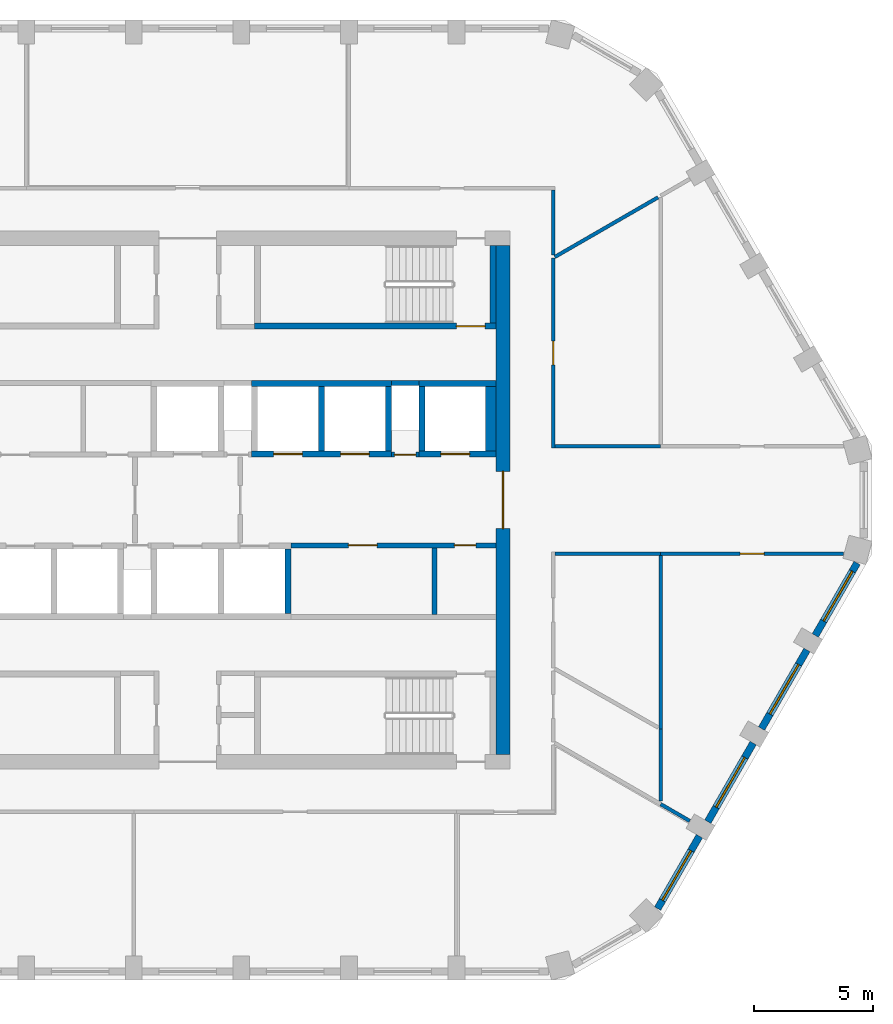
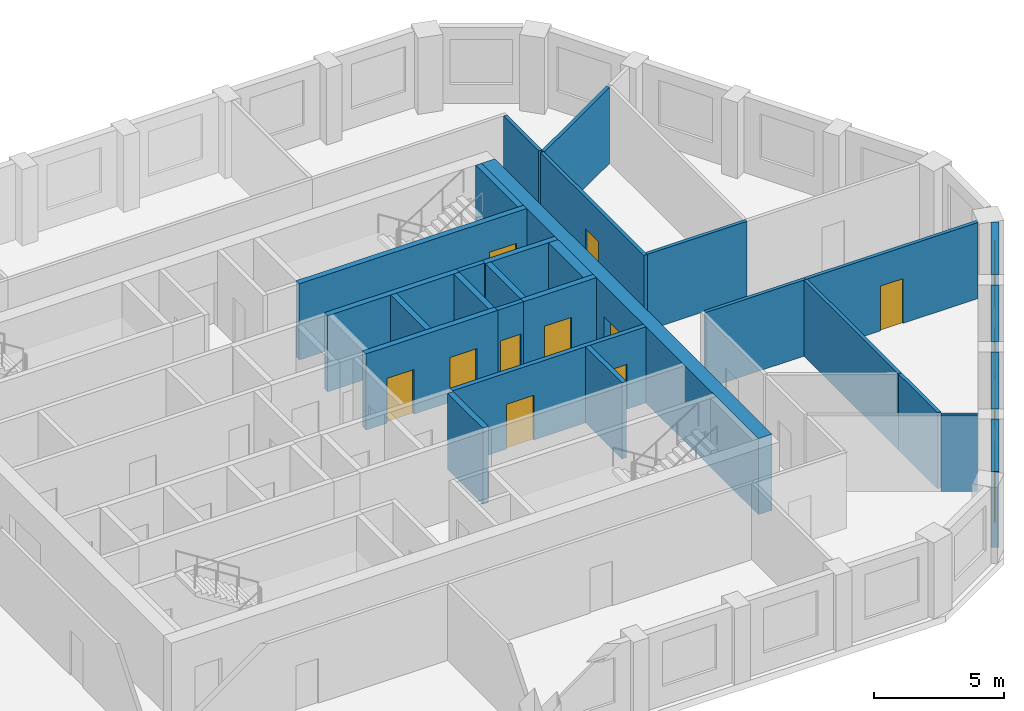
# One storey, part 5 of 10: 29 walls, 10 doors, 4 windows, 14 openings.
"""IFC4 building model written with IfcOpenShell, lengths in metres."""

from ifc_helpers import new_model, si_unit, direction, frame, frame_2d, origin, place, context, subcontext, project, spatial, polyline, rectangle, outline, extrude, material, layer, layer_set, type_object, element, fill, save


model = new_model("IFC4")

# Units and contexts
model_context = context("Model", 3, precision=1e-05, world=origin(), true_north=direction((0.0, 1.0)))
body_context = subcontext(model_context, "Body", "Model", "MODEL_VIEW")
ifc_project = project(units=[si_unit("LENGTHUNIT", "METRE"), si_unit("AREAUNIT", "SQUARE_METRE"), si_unit("VOLUMEUNIT", "CUBIC_METRE"), si_unit("PLANEANGLEUNIT", "RADIAN"), si_unit("MASSUNIT", "GRAM", prefix="KILO")], contexts=[model_context])

# Site, building, storey
site_placement = place(None, origin())
site = spatial("IfcSite", under=ifc_project, at=site_placement, CompositionType="ELEMENT")
building_placement = place(site_placement, origin())
building = spatial("IfcBuilding", under=site, at=building_placement, Name="Dhurran Vertical Campus", CompositionType="ELEMENT")
storey_placement = place(building_placement, frame((0.0, 0.0, 250.800048828125)))
storey = spatial("IfcBuildingStorey", under=building, at=storey_placement, Name="L62", CompositionType="ELEMENT", Elevation=250.800048828125)

# Wall, opening, window
ifc_material_1 = material(Name="Precast concrete C50/60", Category="concrete")
ifc_layer_1 = layer(ifc_material_1, 0.300048828125)
ifc_layer_set_1 = layer_set([ifc_layer_1], Name="Precast concrete C50/60")
wall_type_1 = type_object("IfcWallType", Name="Precast spandrel wall 300", PredefinedType="SOLIDWALL", material=ifc_layer_set_1)
wall_1_placement = place(storey_placement, frame((19.669921875, -17.09912109375, 0.0), z_axis=(0.0, 0.0, 1.0), x_axis=(0.499960102815, 0.866048437209, 0.0)))
wall_1 = element("IfcWall", 1, at=wall_1_placement, inside=storey, type_object=wall_type_1, Name="EW1 L62.08", PredefinedType="SOLIDWALL", context=body_context, shape_type="SweptSolid", body=[
    extrude(rectangle(XDim=3.497802734375, YDim=0.300048828125, at=frame_2d((1.7490234375, 0.0))), origin(), (0.0, 0.0, 1.0), 3.574951171875),
])
opening_1_placement = place(wall_1_placement, frame((0.398193359375, 0.0, 0.89990234375)))
opening_1 = element("IfcOpeningElement", 2, at=opening_1_placement, cuts=wall_1, Name="Opening WT1", PredefinedType="OPENING", context=body_context, shape_type="SweptSolid", body=[
    extrude(rectangle(XDim=2.39990234375, YDim=2.10009765625, at=frame_2d((1.199951171875, 1.050048828125))), frame((0.0, 0.159912109375, 0.0), z_axis=(0.0, -1.0, 0.0), x_axis=(1.0, 0.0, 0.0)), (0.0, 0.0, 1.0), 0.320068359375),
])
ifc_material_2 = material(Name="Aluminium frame with solar-control glass", Category="aluminium")
window_type = type_object("IfcWindowType", Name="Punched window 2400 x 2100", PartitioningType="SINGLE_PANEL", PredefinedType="WINDOW", material=ifc_material_2)
window_1_placement = place(opening_1_placement, origin())
window_1 = element("IfcWindow", 3, at=window_1_placement, inside=storey, type_object=window_type, Name="WT1 L62.08", OverallHeight=2.10009765625, OverallWidth=2.39990234375, PartitioningType="SINGLE_PANEL", PredefinedType="WINDOW", context=body_context, shape_type="SweptSolid", body=[
    extrude(rectangle(XDim=2.39990234375, YDim=2.10009765625, at=frame_2d((1.199951171875, 1.050048828125))), frame((0.0, 0.030029296875, 0.0), z_axis=(0.0, -1.0, 0.0), x_axis=(1.0, 0.0, 0.0)), (0.0, 0.0, 1.0), 0.06005859375),
])
fill(opening_1, window_1)

wall_2_placement = place(storey_placement, frame((21.769287109375, -13.462890625, 0.0), z_axis=(0.0, 0.0, 1.0), x_axis=(0.499982058975, 0.866035761792, 0.0)))
wall_2 = element("IfcWall", 4, at=wall_2_placement, inside=storey, type_object=wall_type_1, Name="EW1 L62.09", PredefinedType="SOLIDWALL", context=body_context, shape_type="SweptSolid", body=[
    extrude(rectangle(XDim=3.799072265625, YDim=0.300048828125, at=frame_2d((1.8994140625, 0.0))), origin(), (0.0, 0.0, 1.0), 3.574951171875),
])
opening_2_placement = place(wall_2_placement, frame((0.699462890625, 0.0, 0.89990234375)))
opening_2 = element("IfcOpeningElement", 5, at=opening_2_placement, cuts=wall_2, Name="Opening WT1", PredefinedType="OPENING", context=body_context, shape_type="SweptSolid", body=[
    extrude(rectangle(XDim=2.39990234375, YDim=2.10009765625, at=frame_2d((1.199951171875, 1.050048828125))), frame((0.0, 0.159912109375, 0.0), z_axis=(0.0, -1.0, 0.0), x_axis=(1.0, 0.0, 0.0)), (0.0, 0.0, 1.0), 0.320068359375),
])
window_2_placement = place(opening_2_placement, origin())
window_2 = element("IfcWindow", 6, at=window_2_placement, inside=storey, type_object=window_type, Name="WT1 L62.09", OverallHeight=2.10009765625, OverallWidth=2.39990234375, PartitioningType="SINGLE_PANEL", PredefinedType="WINDOW", context=body_context, shape_type="SweptSolid", body=[
    extrude(rectangle(XDim=2.39990234375, YDim=2.10009765625, at=frame_2d((1.199951171875, 1.050048828125))), frame((0.0, 0.030029296875, 0.0), z_axis=(0.0, -1.0, 0.0), x_axis=(1.0, 0.0, 0.0)), (0.0, 0.0, 1.0), 0.06005859375),
])
fill(opening_2, window_2)

wall_3_placement = place(storey_placement, frame((24.019287109375, -9.565673828125, 0.0), z_axis=(0.0, 0.0, 1.0), x_axis=(0.499982058975, 0.866035761792, 0.0)))
wall_3 = element("IfcWall", 7, at=wall_3_placement, inside=storey, type_object=wall_type_1, Name="EW1 L62.10", PredefinedType="SOLIDWALL", context=body_context, shape_type="SweptSolid", body=[
    extrude(rectangle(XDim=3.799072265625, YDim=0.300048828125, at=frame_2d((1.8994140625, 0.0))), origin(), (0.0, 0.0, 1.0), 3.574951171875),
])
opening_3_placement = place(wall_3_placement, frame((0.699462890625, 0.0, 0.89990234375)))
opening_3 = element("IfcOpeningElement", 8, at=opening_3_placement, cuts=wall_3, Name="Opening WT1", PredefinedType="OPENING", context=body_context, shape_type="SweptSolid", body=[
    extrude(rectangle(XDim=2.39990234375, YDim=2.10009765625, at=frame_2d((1.199951171875, 1.050048828125))), frame((0.0, 0.159912109375, 0.0), z_axis=(0.0, -1.0, 0.0), x_axis=(1.0, 0.0, 0.0)), (0.0, 0.0, 1.0), 0.320068359375),
])
window_3_placement = place(opening_3_placement, origin())
window_3 = element("IfcWindow", 9, at=window_3_placement, inside=storey, type_object=window_type, Name="WT1 L62.10", OverallHeight=2.10009765625, OverallWidth=2.39990234375, PartitioningType="SINGLE_PANEL", PredefinedType="WINDOW", context=body_context, shape_type="SweptSolid", body=[
    extrude(rectangle(XDim=2.39990234375, YDim=2.10009765625, at=frame_2d((1.199951171875, 1.050048828125))), frame((0.0, 0.030029296875, 0.0), z_axis=(0.0, -1.0, 0.0), x_axis=(1.0, 0.0, 0.0)), (0.0, 0.0, 1.0), 0.06005859375),
])
fill(opening_3, window_3)

wall_4_placement = place(storey_placement, frame((26.269287109375, -5.668701171875, 0.0), z_axis=(0.0, 0.0, 1.0), x_axis=(0.499990325971, 0.866030989016, 0.0)))
wall_4 = element("IfcWall", 10, at=wall_4_placement, inside=storey, type_object=wall_type_1, Name="EW1 L62.11", PredefinedType="SOLIDWALL", context=body_context, shape_type="SweptSolid", body=[
    extrude(rectangle(XDim=3.49755859375, YDim=0.300048828125, at=frame_2d((1.748779296875, 0.0))), origin(), (0.0, 0.0, 1.0), 3.574951171875),
])
opening_4_placement = place(wall_4_placement, frame((0.699462890625, 0.0, 0.89990234375)))
opening_4 = element("IfcOpeningElement", 11, at=opening_4_placement, cuts=wall_4, Name="Opening WT1", PredefinedType="OPENING", context=body_context, shape_type="SweptSolid", body=[
    extrude(rectangle(XDim=2.39990234375, YDim=2.10009765625, at=frame_2d((1.199951171875, 1.050048828125))), frame((0.0, 0.159912109375, 0.0), z_axis=(0.0, -1.0, 0.0), x_axis=(1.0, 0.0, 0.0)), (0.0, 0.0, 1.0), 0.320068359375),
])
window_4_placement = place(opening_4_placement, origin())
window_4 = element("IfcWindow", 12, at=window_4_placement, inside=storey, type_object=window_type, Name="WT1 L62.11", OverallHeight=2.10009765625, OverallWidth=2.39990234375, PartitioningType="SINGLE_PANEL", PredefinedType="WINDOW", context=body_context, shape_type="SweptSolid", body=[
    extrude(rectangle(XDim=2.39990234375, YDim=2.10009765625, at=frame_2d((1.199951171875, 1.050048828125))), frame((0.0, 0.030029296875, 0.0), z_axis=(0.0, -1.0, 0.0), x_axis=(1.0, 0.0, 0.0)), (0.0, 0.0, 1.0), 0.06005859375),
])
fill(opening_4, window_4)

# Wall, opening, door
ifc_material_3 = material(Name="Concrete C50/60", Category="concrete")
ifc_layer_2 = layer(ifc_material_3, 0.60009765625)
ifc_layer_set_2 = layer_set([ifc_layer_2], Name="Concrete C50/60")
wall_type_2 = type_object("IfcWallType", Name="co-CORE-WALL-C2-600", PredefinedType="SHEAR", material=ifc_layer_set_2)
wall_5_placement = place(storey_placement, frame((13.199951171875, -10.64990234375, 0.0), z_axis=(0.0, 0.0, 1.0), x_axis=(0.0, 1.0, 0.0)))
wall_5 = element("IfcWall", 13, at=wall_5_placement, inside=storey, type_object=wall_type_2, Name="Core wall E L62", PredefinedType="SHEAR", context=body_context, shape_type="SweptSolid", body=[
    extrude(rectangle(XDim=21.2998046875, YDim=0.60009765625, at=frame_2d((10.64990234375, 0.0))), origin(), (0.0, 0.0, 1.0), 3.574951171875),
])
opening_5_placement = place(wall_5_placement, frame((9.449951171875, 0.0, 0.0)))
opening_5 = element("IfcOpeningElement", 14, at=opening_5_placement, cuts=wall_5, Name="Opening CL2", PredefinedType="OPENING", context=body_context, shape_type="SweptSolid", body=[
    extrude(rectangle(XDim=2.39990234375, YDim=2.10009765625, at=frame_2d((1.199951171875, 1.050048828125))), frame((0.0, 0.31005859375, 0.0), z_axis=(0.0, -1.0, 0.0), x_axis=(1.0, 0.0, 0.0)), (0.0, 0.0, 1.0), 0.6201171875),
])
ifc_material_4 = material(Name="Fire-rated glazed door set")
door_type_1 = type_object("IfcDoorType", Name="co-D-LOBBY 2400x2100", OperationType="DOUBLE_DOOR_DOUBLE_SWING", PredefinedType="DOOR", material=ifc_material_4)
door_1_placement = place(opening_5_placement, origin())
door_1 = element("IfcDoor", 15, at=door_1_placement, inside=storey, type_object=door_type_1, Name="Lift lobby door E L62", OperationType="DOUBLE_DOOR_DOUBLE_SWING", OverallHeight=2.10009765625, OverallWidth=2.39990234375, PredefinedType="DOOR", context=body_context, shape_type="SweptSolid", body=[
    extrude(rectangle(XDim=2.39990234375, YDim=2.10009765625, at=frame_2d((1.199951171875, 1.050048828125))), frame((0.0, 0.02490234375, 0.0), z_axis=(0.0, -1.0, 0.0), x_axis=(1.0, 0.0, 0.0)), (0.0, 0.0, 1.0), 0.050048828125),
])
fill(opening_5, door_1)

ifc_material_5 = material(Name="Fire-rated masonry blockwork", Category="masonry")
ifc_layer_3 = layer(ifc_material_5, 0.199951171875)
ifc_layer_set_3 = layer_set([ifc_layer_3], Name="Fire-rated masonry blockwork")
wall_type_3 = type_object("IfcWallType", Name="co-FIRE-PARTITION-200", PredefinedType="PARTITIONING", material=ifc_layer_set_3)
wall_6_placement = place(storey_placement, frame((8.52490234375, 1.89990234375, 0.0), z_axis=(0.0, 0.0, 1.0), x_axis=(1.0, 0.0, 0.0)))
wall_6 = element("IfcWall", 16, at=wall_6_placement, inside=storey, type_object=wall_type_3, Name="Core partition fr-N2-f L62", PredefinedType="PARTITIONING", context=body_context, shape_type="SweptSolid", body=[
    extrude(rectangle(XDim=1.150146484375, YDim=0.199951171875, at=frame_2d((0.5751953125, 0.0))), origin(), (0.0, 0.0, 1.0), 3.574951171875),
])
opening_6_placement = place(wall_6_placement, frame((0.125, 0.0, 0.0)))
opening_6 = element("IfcOpeningElement", 17, at=opening_6_placement, cuts=wall_6, Name="Opening T18-C10", PredefinedType="OPENING", context=body_context, shape_type="SweptSolid", body=[
    extrude(rectangle(XDim=0.89990234375, YDim=2.10009765625, at=frame_2d((0.449951171875, 1.050048828125))), frame((0.0, 0.10986328125, 0.0), z_axis=(0.0, -1.0, 0.0), x_axis=(1.0, 0.0, 0.0)), (0.0, 0.0, 1.0), 0.219970703125),
])
ifc_material_6 = material(Name="Fire-rated timber door set", Category="wood")
door_type_2 = type_object("IfcDoorType", Name="co-D-ROOM 900x2100", OperationType="SINGLE_SWING_LEFT", PredefinedType="DOOR", material=ifc_material_6)
door_2_placement = place(opening_6_placement, origin())
door_2 = element("IfcDoor", 18, at=door_2_placement, inside=storey, type_object=door_type_2, Name="Electrical riser door L62", OperationType="SINGLE_SWING_LEFT", OverallHeight=2.10009765625, OverallWidth=0.89990234375, PredefinedType="DOOR", context=body_context, shape_type="SweptSolid", body=[
    extrude(rectangle(XDim=0.89990234375, YDim=2.10009765625, at=frame_2d((0.449951171875, 1.050048828125))), frame((0.0, 0.02490234375, 0.0), z_axis=(0.0, -1.0, 0.0), x_axis=(1.0, 0.0, 0.0)), (0.0, 0.0, 1.0), 0.050048828125),
])
fill(opening_6, door_2)

# Walls
wall_7_placement = place(storey_placement, frame((8.52490234375, 4.89990234375, 0.0), z_axis=(0.0, 0.0, 1.0), x_axis=(1.0, 0.0, 0.0)))
element("IfcWall", 19, at=wall_7_placement, inside=storey, type_object=wall_type_3, Name="Core partition fr-N2-b L62", PredefinedType="PARTITIONING", context=body_context, shape_type="SweptSolid", body=[
    extrude(rectangle(XDim=1.150146484375, YDim=0.199951171875, at=frame_2d((0.5751953125, 0.0))), origin(), (0.0, 0.0, 1.0), 3.574951171875),
])
wall_8_placement = place(storey_placement, frame((10.327392578125, -4.800048828125, 0.0), z_axis=(0.0, 0.0, 1.0), x_axis=(0.0, 1.0, 0.0)))
element("IfcWall", 20, at=wall_8_placement, inside=storey, type_object=wall_type_3, Name="Core partition fr-S2-cut0 L62", PredefinedType="PARTITIONING", context=body_context, shape_type="SweptSolid", body=[
    extrude(rectangle(XDim=2.800048828125, YDim=0.199951171875, at=frame_2d((1.39990234375, 0.0))), origin(), (0.0, 0.0, 1.0), 3.574951171875),
])

# Wall, openings, doors
wall_9_placement = place(storey_placement, frame((4.324951171875, -1.89990234375, 0.0), z_axis=(0.0, 0.0, 1.0), x_axis=(1.0, 0.0, 0.0)))
wall_9 = element("IfcWall", 21, at=wall_9_placement, inside=storey, type_object=wall_type_3, Name="Core partition fr-S2-f L62", PredefinedType="PARTITIONING", context=body_context, shape_type="SweptSolid", body=[
    extrude(rectangle(XDim=8.574951171875, YDim=0.199951171875, at=frame_2d((4.28759765625, 0.0))), origin(), (0.0, 0.0, 1.0), 3.574951171875),
])
opening_7_placement = place(wall_9_placement, frame((2.4013671875, 0.0, 0.0)))
opening_7 = element("IfcOpeningElement", 22, at=opening_7_placement, cuts=wall_9, Name="Opening T18-C13", PredefinedType="OPENING", context=body_context, shape_type="SweptSolid", body=[
    extrude(rectangle(XDim=1.199951171875, YDim=2.10009765625, at=frame_2d((0.60009765625, 1.050048828125))), frame((0.0, 0.10986328125, 0.0), z_axis=(0.0, -1.0, 0.0), x_axis=(1.0, 0.0, 0.0)), (0.0, 0.0, 1.0), 0.219970703125),
])
opening_8_placement = place(wall_9_placement, frame((6.8388671875, 0.0, 0.0)))
opening_8 = element("IfcOpeningElement", 23, at=opening_8_placement, cuts=wall_9, Name="Opening T18-C14", PredefinedType="OPENING", context=body_context, shape_type="SweptSolid", body=[
    extrude(rectangle(XDim=0.89990234375, YDim=2.10009765625, at=frame_2d((0.449951171875, 1.050048828125))), frame((0.0, 0.10986328125, 0.0), z_axis=(0.0, -1.0, 0.0), x_axis=(1.0, 0.0, 0.0)), (0.0, 0.0, 1.0), 0.219970703125),
])
door_3_placement = place(opening_8_placement, origin())
door_3 = element("IfcDoor", 24, at=door_3_placement, inside=storey, type_object=door_type_2, Name="Pantry door L62", OperationType="SINGLE_SWING_LEFT", OverallHeight=2.10009765625, OverallWidth=0.89990234375, PredefinedType="DOOR", context=body_context, shape_type="SweptSolid", body=[
    extrude(rectangle(XDim=0.89990234375, YDim=2.10009765625, at=frame_2d((0.449951171875, 1.050048828125))), frame((0.0, 0.02490234375, 0.0), z_axis=(0.0, -1.0, 0.0), x_axis=(1.0, 0.0, 0.0)), (0.0, 0.0, 1.0), 0.050048828125),
])
fill(opening_8, door_3)
ifc_material_7 = material(Name="Fire-rated steel door set", Category="steel")
door_type_3 = type_object("IfcDoorType", Name="co-D-ROOM-PASSAGE 1200x2100", OperationType="SINGLE_SWING_RIGHT", PredefinedType="DOOR", material=ifc_material_7)
door_4_placement = place(opening_7_placement, origin())
door_4 = element("IfcDoor", 25, at=door_4_placement, inside=storey, type_object=door_type_3, Name="Communications room door L62", OperationType="SINGLE_SWING_RIGHT", OverallHeight=2.10009765625, OverallWidth=1.199951171875, PredefinedType="DOOR", context=body_context, shape_type="SweptSolid", body=[
    extrude(rectangle(XDim=1.199951171875, YDim=2.10009765625, at=frame_2d((0.60009765625, 1.050048828125))), frame((0.0, 0.02490234375, 0.0), z_axis=(0.0, -1.0, 0.0), x_axis=(1.0, 0.0, 0.0)), (0.0, 0.0, 1.0), 0.050048828125),
])
fill(opening_7, door_4)

ifc_material_8 = material(Name="Concrete C50/60", Category="concrete")
ifc_layer_4 = layer(ifc_material_8, 0.25)
ifc_layer_set_4 = layer_set([ifc_layer_4], Name="Concrete C50/60")
wall_type_4 = type_object("IfcWallType", Name="co-SHAFT-FRONT-250", PredefinedType="SHEAR", material=ifc_layer_set_4)
wall_10_placement = place(storey_placement, frame((2.675048828125, 1.925048828125, 0.0), z_axis=(0.0, 0.0, 1.0), x_axis=(1.0, 0.0, 0.0)))
wall_10 = element("IfcWall", 26, at=wall_10_placement, inside=storey, type_object=wall_type_4, Name="Lift landing wall N L62", PredefinedType="SHEAR", context=body_context, shape_type="SweptSolid", body=[
    extrude(rectangle(XDim=5.849853515625, YDim=0.25, at=frame_2d((2.9248046875, 0.0))), origin(), (0.0, 0.0, 1.0), 3.574951171875),
])
opening_9_placement = place(wall_10_placement, frame((0.925048828125, 0.0, 0.0)))
opening_9 = element("IfcOpeningElement", 27, at=opening_9_placement, cuts=wall_10, Name="Opening LD", PredefinedType="OPENING", context=body_context, shape_type="SweptSolid", body=[
    extrude(rectangle(XDim=1.199951171875, YDim=2.10009765625, at=frame_2d((0.60009765625, 1.050048828125))), frame((0.0, 0.135009765625, 0.0), z_axis=(0.0, -1.0, 0.0), x_axis=(1.0, 0.0, 0.0)), (0.0, 0.0, 1.0), 0.27001953125),
])
opening_10_placement = place(wall_10_placement, frame((3.72509765625, 0.0, 0.0)))
opening_10 = element("IfcOpeningElement", 28, at=opening_10_placement, cuts=wall_10, Name="Opening LD", PredefinedType="OPENING", context=body_context, shape_type="SweptSolid", body=[
    extrude(rectangle(XDim=1.199951171875, YDim=2.10009765625, at=frame_2d((0.60009765625, 1.050048828125))), frame((0.0, 0.135009765625, 0.0), z_axis=(0.0, -1.0, 0.0), x_axis=(1.0, 0.0, 0.0)), (0.0, 0.0, 1.0), 0.27001953125),
])
ifc_material_9 = material(Name="Stainless steel landing door", Category="steel")
door_type_4 = type_object("IfcDoorType", Name="co-D-LANDING 1200x2100", OperationType="DOUBLE_DOOR_SLIDING", PredefinedType="DOOR", material=ifc_material_9)
door_5_placement = place(opening_9_placement, origin())
door_5 = element("IfcDoor", 29, at=door_5_placement, inside=storey, type_object=door_type_4, Name="Landing door HR1 L62", OperationType="DOUBLE_DOOR_SLIDING", OverallHeight=2.10009765625, OverallWidth=1.199951171875, PredefinedType="DOOR", context=body_context, shape_type="SweptSolid", body=[
    extrude(rectangle(XDim=1.199951171875, YDim=2.10009765625, at=frame_2d((0.60009765625, 1.050048828125))), frame((0.0, 0.02490234375, 0.0), z_axis=(0.0, -1.0, 0.0), x_axis=(1.0, 0.0, 0.0)), (0.0, 0.0, 1.0), 0.050048828125),
])
fill(opening_9, door_5)
door_6_placement = place(opening_10_placement, origin())
door_6 = element("IfcDoor", 30, at=door_6_placement, inside=storey, type_object=door_type_4, Name="Landing door HR2 L62", OperationType="DOUBLE_DOOR_SLIDING", OverallHeight=2.10009765625, OverallWidth=1.199951171875, PredefinedType="DOOR", context=body_context, shape_type="SweptSolid", body=[
    extrude(rectangle(XDim=1.199951171875, YDim=2.10009765625, at=frame_2d((0.60009765625, 1.050048828125))), frame((0.0, 0.02490234375, 0.0), z_axis=(0.0, -1.0, 0.0), x_axis=(1.0, 0.0, 0.0)), (0.0, 0.0, 1.0), 0.050048828125),
])
fill(opening_10, door_6)

# Wall, opening, door
wall_11_placement = place(storey_placement, frame((9.675048828125, 1.925048828125, 0.0), z_axis=(0.0, 0.0, 1.0), x_axis=(1.0, 0.0, 0.0)))
wall_11 = element("IfcWall", 31, at=wall_11_placement, inside=storey, type_object=wall_type_4, Name="Lift landing wall N L62", PredefinedType="SHEAR", context=body_context, shape_type="SweptSolid", body=[
    extrude(rectangle(XDim=3.224853515625, YDim=0.25, at=frame_2d((1.6123046875, 0.0))), origin(), (0.0, 0.0, 1.0), 3.574951171875),
])
opening_11_placement = place(wall_11_placement, frame((0.925048828125, 0.0, 0.0)))
opening_11 = element("IfcOpeningElement", 32, at=opening_11_placement, cuts=wall_11, Name="Opening LD", PredefinedType="OPENING", context=body_context, shape_type="SweptSolid", body=[
    extrude(rectangle(XDim=1.199951171875, YDim=2.10009765625, at=frame_2d((0.60009765625, 1.050048828125))), frame((0.0, 0.135009765625, 0.0), z_axis=(0.0, -1.0, 0.0), x_axis=(1.0, 0.0, 0.0)), (0.0, 0.0, 1.0), 0.27001953125),
])
door_7_placement = place(opening_11_placement, origin())
door_7 = element("IfcDoor", 33, at=door_7_placement, inside=storey, type_object=door_type_4, Name="Landing door SV2 L62", OperationType="DOUBLE_DOOR_SLIDING", OverallHeight=2.10009765625, OverallWidth=1.199951171875, PredefinedType="DOOR", context=body_context, shape_type="SweptSolid", body=[
    extrude(rectangle(XDim=1.199951171875, YDim=2.10009765625, at=frame_2d((0.60009765625, 1.050048828125))), frame((0.0, 0.02490234375, 0.0), z_axis=(0.0, -1.0, 0.0), x_axis=(1.0, 0.0, 0.0)), (0.0, 0.0, 1.0), 0.050048828125),
])
fill(opening_11, door_7)

# Walls
ifc_material_10 = material(Name="Concrete C50/60", Category="concrete")
ifc_layer_5 = layer(ifc_material_10, 0.25)
ifc_layer_set_5 = layer_set([ifc_layer_5], Name="Concrete C50/60")
wall_type_5 = type_object("IfcWallType", Name="co-SHAFT-MASS-250", PredefinedType="SHEAR", material=ifc_layer_set_5)
wall_12_placement = place(storey_placement, origin())
element("IfcWall", 34, at=wall_12_placement, inside=storey, type_object=wall_type_5, Name="Lift shaft wall N L62 2", PredefinedType="SHEAR", context=body_context, shape_type="SweptSolid", body=[
    extrude(outline(polyline([(2.675048828125, 4.75), (8.52490234375, 4.75), (8.52490234375, 5.0), (2.675048828125, 5.0), (2.675048828125, 4.75)])), origin(), (0.0, 0.0, 1.0), 3.574951171875),
])
wall_13_placement = place(storey_placement, origin())
element("IfcWall", 35, at=wall_13_placement, inside=storey, type_object=wall_type_5, Name="Lift shaft wall N L62 3", PredefinedType="SHEAR", context=body_context, shape_type="SweptSolid", body=[
    extrude(outline(polyline([(9.675048828125, 4.75), (12.89990234375, 4.75), (12.89990234375, 5.0), (9.675048828125, 5.0), (9.675048828125, 4.75)])), origin(), (0.0, 0.0, 1.0), 3.574951171875),
])
wall_14_placement = place(storey_placement, origin())
element("IfcWall", 36, at=wall_14_placement, inside=storey, type_object=wall_type_5, Name="Lift shaft wall N L62 7", PredefinedType="SHEAR", context=body_context, shape_type="SweptSolid", body=[
    extrude(outline(polyline([(5.47509765625, 2.050048828125), (5.72509765625, 2.050048828125), (5.72509765625, 4.75), (5.47509765625, 4.75), (5.47509765625, 2.050048828125)])), origin(), (0.0, 0.0, 1.0), 3.574951171875),
])
wall_15_placement = place(storey_placement, origin())
element("IfcWall", 37, at=wall_15_placement, inside=storey, type_object=wall_type_5, Name="Lift shaft wall N L62 8", PredefinedType="SHEAR", context=body_context, shape_type="SweptSolid", body=[
    extrude(outline(polyline([(8.27490234375, 2.050048828125), (8.52490234375, 2.050048828125), (8.52490234375, 4.75), (8.27490234375, 4.75), (8.27490234375, 2.050048828125)])), origin(), (0.0, 0.0, 1.0), 3.574951171875),
])
wall_16_placement = place(storey_placement, origin())
element("IfcWall", 38, at=wall_16_placement, inside=storey, type_object=wall_type_5, Name="Lift shaft wall N L62 9", PredefinedType="SHEAR", context=body_context, shape_type="SweptSolid", body=[
    extrude(outline(polyline([(9.675048828125, 2.050048828125), (9.925048828125, 2.050048828125), (9.925048828125, 4.75), (9.675048828125, 4.75), (9.675048828125, 2.050048828125)])), origin(), (0.0, 0.0, 1.0), 3.574951171875),
])
wall_17_placement = place(storey_placement, origin())
element("IfcWall", 39, at=wall_17_placement, inside=storey, type_object=wall_type_5, Name="Lift shaft wall N L62 10", PredefinedType="SHEAR", context=body_context, shape_type="SweptSolid", body=[
    extrude(outline(polyline([(12.47509765625, 2.050048828125), (12.89990234375, 2.050048828125), (12.89990234375, 4.75), (12.47509765625, 4.75), (12.47509765625, 2.050048828125)])), origin(), (0.0, 0.0, 1.0), 3.574951171875),
])
wall_18_placement = place(storey_placement, origin())
element("IfcWall", 40, at=wall_18_placement, inside=storey, type_object=wall_type_5, Name="Lift shaft wall S L62 9", PredefinedType="SHEAR", context=body_context, shape_type="SweptSolid", body=[
    extrude(outline(polyline([(4.074951171875, -4.75), (4.324951171875, -4.75), (4.324951171875, -2.050048828125), (4.074951171875, -2.050048828125), (4.074951171875, -4.75)])), origin(), (0.0, 0.0, 1.0), 3.574951171875),
])

# Wall, opening, door
ifc_material_11 = material(Name="Concrete C40/50", Category="concrete")
ifc_layer_6 = layer(ifc_material_11, 0.25)
ifc_layer_set_6 = layer_set([ifc_layer_6], Name="Concrete C40/50")
wall_type_6 = type_object("IfcWallType", Name="co-STAIR-WALL-250", PredefinedType="SHEAR", material=ifc_layer_set_6)
wall_19_placement = place(storey_placement, frame((2.800048828125, 7.27490234375, 0.0), z_axis=(0.0, 0.0, 1.0), x_axis=(1.0, 0.0, 0.0)))
wall_19 = element("IfcWall", 41, at=wall_19_placement, inside=storey, type_object=wall_type_6, Name="Stair ST2 enclosure wall L62", PredefinedType="SHEAR", context=body_context, shape_type="SweptSolid", body=[
    extrude(rectangle(XDim=10.099853515625, YDim=0.25, at=frame_2d((5.0498046875, 0.0))), origin(), (0.0, 0.0, 1.0), 3.574951171875),
])
opening_12_placement = place(wall_19_placement, frame((8.449951171875, 0.0, 0.0)))
opening_12 = element("IfcOpeningElement", 42, at=opening_12_placement, cuts=wall_19, Name="Opening SD2", PredefinedType="OPENING", context=body_context, shape_type="SweptSolid", body=[
    extrude(rectangle(XDim=1.199951171875, YDim=2.10009765625, at=frame_2d((0.60009765625, 1.050048828125))), frame((0.0, 0.135009765625, 0.0), z_axis=(0.0, -1.0, 0.0), x_axis=(1.0, 0.0, 0.0)), (0.0, 0.0, 1.0), 0.27001953125),
])
ifc_material_12 = material(Name="Fire-rated steel door set", Category="steel")
door_type_5 = type_object("IfcDoorType", Name="co-D-STAIR 1200x2100", OperationType="SINGLE_SWING_LEFT", PredefinedType="DOOR", material=ifc_material_12)
door_8_placement = place(opening_12_placement, origin())
door_8 = element("IfcDoor", 43, at=door_8_placement, inside=storey, type_object=door_type_5, Name="Stair ST2 door L62", OperationType="SINGLE_SWING_LEFT", OverallHeight=2.10009765625, OverallWidth=1.199951171875, PredefinedType="DOOR", context=body_context, shape_type="SweptSolid", body=[
    extrude(rectangle(XDim=1.199951171875, YDim=2.10009765625, at=frame_2d((0.60009765625, 1.050048828125))), frame((0.0, 0.02490234375, 0.0), z_axis=(0.0, -1.0, 0.0), x_axis=(1.0, 0.0, 0.0)), (0.0, 0.0, 1.0), 0.050048828125),
])
fill(opening_12, door_8)

# Walls
wall_20_placement = place(storey_placement, frame((12.77490234375, 7.39990234375, 0.0), z_axis=(0.0, 0.0, 1.0), x_axis=(0.0, 1.0, 0.0)))
element("IfcWall", 44, at=wall_20_placement, inside=storey, type_object=wall_type_6, Name="Stair ST2 enclosure wall L62", PredefinedType="SHEAR", context=body_context, shape_type="SweptSolid", body=[
    extrude(rectangle(XDim=3.25, YDim=0.25, at=frame_2d((1.625, 0.0))), origin(), (0.0, 0.0, 1.0), 3.574951171875),
])
ifc_material_13 = material(Name="Gypsum board corridor wall on steel studs", Category="steel")
ifc_layer_7 = layer(ifc_material_13, 0.14990234375)
ifc_layer_set_7 = layer_set([ifc_layer_7], Name="Gypsum board corridor wall on steel studs")
wall_type_7 = type_object("IfcWallType", Name="fl-CW-150 corridor wall", PredefinedType="PARTITIONING", material=ifc_layer_set_7)
wall_21_placement = place(storey_placement, frame((19.800048828125, -2.25, 0.0), z_axis=(0.0, 0.0, 1.0), x_axis=(-1.0, 0.0, 0.0)))
element("IfcWall", 45, at=wall_21_placement, inside=storey, type_object=wall_type_7, Name="Partition 62-25", PredefinedType="PARTITIONING", context=body_context, shape_type="SweptSolid", body=[
    extrude(rectangle(XDim=4.425048828125, YDim=0.14990234375, at=frame_2d((2.21240234375, 0.0))), origin(), (0.0, 0.0, 1.0), 3.574951171875),
])

# Wall, opening, door
wall_22_placement = place(storey_placement, frame((15.300048828125, 2.175048828125, 0.0), z_axis=(0.0, 0.0, 1.0), x_axis=(0.0, 1.0, 0.0)))
wall_22 = element("IfcWall", 46, at=wall_22_placement, inside=storey, type_object=wall_type_7, Name="Partition 62-26", PredefinedType="PARTITIONING", context=body_context, shape_type="SweptSolid", body=[
    extrude(rectangle(XDim=7.95703125, YDim=0.14990234375, at=frame_2d((3.978515625, 0.0))), origin(), (0.0, 0.0, 1.0), 3.574951171875),
])
opening_13_placement = place(wall_22_placement, frame((3.478515625, 0.0, 0.0)))
opening_13 = element("IfcOpeningElement", 47, at=opening_13_placement, cuts=wall_22, Name="Opening T18.11", PredefinedType="OPENING", context=body_context, shape_type="SweptSolid", body=[
    extrude(rectangle(XDim=1.0, YDim=2.10009765625, at=frame_2d((0.5, 1.050048828125))), frame((0.0, 0.0849609375, 0.0), z_axis=(0.0, -1.0, 0.0), x_axis=(1.0, 0.0, 0.0)), (0.0, 0.0, 1.0), 0.169921875),
])
ifc_material_14 = material(Name="Solid-core timber door set, fire-rated", Category="wood")
door_type_6 = type_object("IfcDoorType", Name="fl-D-1000x2100", OperationType="SINGLE_SWING_LEFT", PredefinedType="DOOR", material=ifc_material_14)
door_9_placement = place(opening_13_placement, origin())
door_9 = element("IfcDoor", 48, at=door_9_placement, inside=storey, type_object=door_type_6, Name="Door 62.11", OperationType="SINGLE_SWING_LEFT", OverallHeight=2.10009765625, OverallWidth=1.0, PredefinedType="DOOR", context=body_context, shape_type="SweptSolid", body=[
    extrude(rectangle(XDim=1.0, YDim=2.10009765625, at=frame_2d((0.5, 1.050048828125))), frame((0.0, 0.02490234375, 0.0), z_axis=(0.0, -1.0, 0.0), x_axis=(1.0, 0.0, 0.0)), (0.0, 0.0, 1.0), 0.050048828125),
])
fill(opening_13, door_9)

# Walls
wall_23_placement = place(storey_placement, frame((15.375, 2.25, 0.0), z_axis=(0.0, 0.0, 1.0), x_axis=(1.0, 0.0, 0.0)))
element("IfcWall", 49, at=wall_23_placement, inside=storey, type_object=wall_type_7, Name="Partition 62-27", PredefinedType="PARTITIONING", context=body_context, shape_type="SweptSolid", body=[
    extrude(rectangle(XDim=4.425048828125, YDim=0.14990234375, at=frame_2d((2.21240234375, 0.0))), origin(), (0.0, 0.0, 1.0), 3.574951171875),
])
wall_24_placement = place(storey_placement, frame((15.300048828125, 10.261962890625, 0.0), z_axis=(0.0, 0.0, 1.0), x_axis=(0.0, 1.0, 0.0)))
element("IfcWall", 50, at=wall_24_placement, inside=storey, type_object=wall_type_7, Name="Partition 62-28", PredefinedType="PARTITIONING", context=body_context, shape_type="SweptSolid", body=[
    extrude(rectangle(XDim=2.713134765625, YDim=0.14990234375, at=frame_2d((1.3564453125, 0.0))), origin(), (0.0, 0.0, 1.0), 3.574951171875),
])

# Wall, opening, door
wall_25_placement = place(storey_placement, frame((27.452392578125, -2.25, 0.0), z_axis=(0.0, 0.0, 1.0), x_axis=(-1.0, 0.0, 0.0)))
wall_25 = element("IfcWall", 51, at=wall_25_placement, inside=storey, type_object=wall_type_7, Name="Partition 62-33", PredefinedType="PARTITIONING", context=body_context, shape_type="SweptSolid", body=[
    extrude(rectangle(XDim=7.65234375, YDim=0.14990234375, at=frame_2d((3.826171875, 0.0))), origin(), (0.0, 0.0, 1.0), 3.574951171875),
])
opening_14_placement = place(wall_25_placement, frame((3.326171875, 0.0, 0.0)))
opening_14 = element("IfcOpeningElement", 52, at=opening_14_placement, cuts=wall_25, Name="Opening T18.13", PredefinedType="OPENING", context=body_context, shape_type="SweptSolid", body=[
    extrude(rectangle(XDim=1.0, YDim=2.10009765625, at=frame_2d((0.5, 1.050048828125))), frame((0.0, 0.0849609375, 0.0), z_axis=(0.0, -1.0, 0.0), x_axis=(1.0, 0.0, 0.0)), (0.0, 0.0, 1.0), 0.169921875),
])
door_10_placement = place(opening_14_placement, origin())
door_10 = element("IfcDoor", 53, at=door_10_placement, inside=storey, type_object=door_type_6, Name="Door 62.13", OperationType="SINGLE_SWING_LEFT", OverallHeight=2.10009765625, OverallWidth=1.0, PredefinedType="DOOR", context=body_context, shape_type="SweptSolid", body=[
    extrude(rectangle(XDim=1.0, YDim=2.10009765625, at=frame_2d((0.5, 1.050048828125))), frame((0.0, 0.02490234375, 0.0), z_axis=(0.0, -1.0, 0.0), x_axis=(1.0, 0.0, 0.0)), (0.0, 0.0, 1.0), 0.050048828125),
])
fill(opening_14, door_10)

# Walls
ifc_material_15 = material(Name="Gypsum board partition on steel studs", Category="steel")
ifc_layer_8 = layer(ifc_material_15, 0.14990234375)
ifc_layer_set_8 = layer_set([ifc_layer_8], Name="Gypsum board partition on steel studs")
wall_type_8 = type_object("IfcWallType", Name="fl-PW-150 fixed partition", PredefinedType="PARTITIONING", material=ifc_layer_set_8)
wall_26_placement = place(storey_placement, frame((19.6875, 12.6650390625, 0.0), z_axis=(0.0, 0.0, 1.0), x_axis=(-0.866025118187, -0.500000494669, 0.0)))
element("IfcWall", 54, at=wall_26_placement, inside=storey, type_object=wall_type_8, Name="Partition 62-29", PredefinedType="PARTITIONING", context=body_context, shape_type="SweptSolid", body=[
    extrude(rectangle(XDim=4.9912109375, YDim=0.14990234375, at=frame_2d((2.49560546875, 0.0))), origin(), (0.0, 0.0, 1.0), 3.574951171875),
])
wall_27_placement = place(storey_placement, frame((19.800048828125, -9.5830078125, 0.0), z_axis=(0.0, 0.0, 1.0), x_axis=(0.0, -1.0, 0.0)))
element("IfcWall", 55, at=wall_27_placement, inside=storey, type_object=wall_type_8, Name="Partition 62-30", PredefinedType="PARTITIONING", context=body_context, shape_type="SweptSolid", body=[
    extrude(rectangle(XDim=3.01708984375, YDim=0.14990234375, at=frame_2d((1.508544921875, 0.0))), origin(), (0.0, 0.0, 1.0), 3.574951171875),
])
wall_28_placement = place(storey_placement, frame((19.800048828125, -12.72998046875, 0.0), z_axis=(0.0, 0.0, 1.0), x_axis=(0.865918715181, -0.500184744569, 0.0)))
element("IfcWall", 56, at=wall_28_placement, inside=storey, type_object=wall_type_8, Name="Partition 62-31", PredefinedType="PARTITIONING", context=body_context, shape_type="SweptSolid", body=[
    extrude(rectangle(XDim=1.40185546875, YDim=0.14990234375, at=frame_2d((0.700927734375, 0.0))), origin(), (0.0, 0.0, 1.0), 3.574951171875),
])
wall_29_placement = place(storey_placement, frame((19.800048828125, -2.324951171875, 0.0), z_axis=(0.0, 0.0, 1.0), x_axis=(0.0, -1.0, 0.0)))
element("IfcWall", 57, at=wall_29_placement, inside=storey, type_object=wall_type_8, Name="Partition 62-32", PredefinedType="PARTITIONING", context=body_context, shape_type="SweptSolid", body=[
    extrude(rectangle(XDim=7.258056640625, YDim=0.14990234375, at=frame_2d((3.62890625, 0.0))), origin(), (0.0, 0.0, 1.0), 3.574951171875),
])

save(model, "model.ifc")
